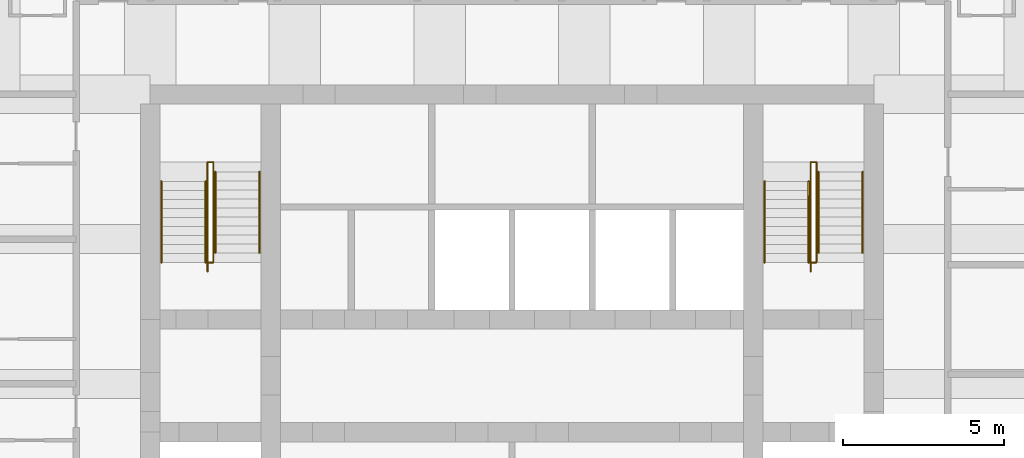
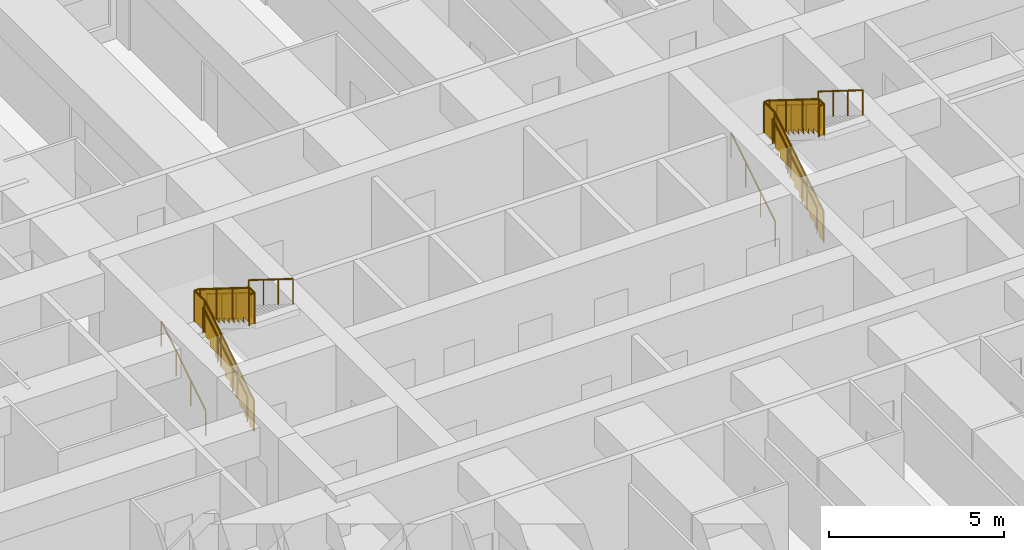
# One storey, part 8 of 8: 12 railings.
"""IFC4 building model written with IfcOpenShell, lengths in metres."""

from ifc_helpers import new_model, si_unit, direction, frame, origin, origin_2d, place, context, subcontext, project, spatial, polyline, circle, outline, extrude, material, type_object, element, save


model = new_model("IFC4")

# Units and contexts
model_context = context("Model", 3, precision=1e-05, world=origin(), true_north=direction((0.0, 1.0)))
body_context = subcontext(model_context, "Body", "Model", "MODEL_VIEW")
ifc_project = project(units=[si_unit("LENGTHUNIT", "METRE"), si_unit("AREAUNIT", "SQUARE_METRE"), si_unit("VOLUMEUNIT", "CUBIC_METRE"), si_unit("PLANEANGLEUNIT", "RADIAN"), si_unit("MASSUNIT", "GRAM", prefix="KILO")], contexts=[model_context])

# Site, building, storey
site_placement = place(None, origin())
site = spatial("IfcSite", under=ifc_project, at=site_placement, CompositionType="ELEMENT")
building_placement = place(site_placement, origin())
building = spatial("IfcBuilding", under=site, at=building_placement, Name="Kilele Tower Hotel", CompositionType="ELEMENT")
storey_placement = place(building_placement, frame((0.0, 0.0, 179.89990234375)))
storey = spatial("IfcBuildingStorey", under=building, at=storey_placement, Name="L46", CompositionType="ELEMENT", Elevation=179.89990234375)

# Railings
ifc_material_1 = material(Name="Steel handrail", Category="steel")
railing_type_1 = type_object("IfcRailingType", Name="Handrail 900", PredefinedType="HANDRAIL", material=ifc_material_1)
for number, where, name in (
    (1, (13.85009765625, 21.77490234375, 0.175048828125), "Handrail ST1 flight 1"),
    (2, (15.22509765625, 21.77490234375, 0.175048828125), "Handrail ST1 flight 1"),
):
    element("IfcRailing", number, at=place(storey_placement, frame(where)), inside=storey, type_object=railing_type_1, Name=name, PredefinedType="HANDRAIL", context=body_context, shape_type="SweptSolid", body=[
        extrude(circle(Radius=0.02490234375, at=origin_2d()), frame((0.0, 0.0, 0.875), z_axis=(0.0, 0.848007534815, 0.529984170421), x_axis=(-1.0, 0.0, 0.0)), (0.0, 0.0, 1.0), 2.9716796875),
        extrude(circle(Radius=0.02001953125, at=origin_2d()), origin(), (0.0, 0.0, 1.0), 0.849853515625),
        extrude(circle(Radius=0.02001953125, at=origin_2d()), frame((0.0, 0.840087890625, 0.52490234375)), (0.0, 0.0, 1.0), 0.849853515625),
        extrude(circle(Radius=0.02001953125, at=origin_2d()), frame((0.0, 1.679931640625, 1.050048828125)), (0.0, 0.0, 1.0), 0.849853515625),
        extrude(circle(Radius=0.02001953125, at=origin_2d()), frame((0.0, 2.52001953125, 1.574951171875)), (0.0, 0.0, 1.0), 0.849853515625),
    ])
for number, where, name in (
    (3, (15.52490234375, 24.594970703125, 1.925048828125), "Handrail ST1 flight 2"),
    (4, (16.89990234375, 24.594970703125, 1.925048828125), "Handrail ST1 flight 2"),
):
    element("IfcRailing", number, at=place(storey_placement, frame(where)), inside=storey, type_object=railing_type_1, Name=name, PredefinedType="HANDRAIL", context=body_context, shape_type="SweptSolid", body=[
        extrude(circle(Radius=0.02490234375, at=origin_2d()), frame((0.0, 0.0, 0.875), z_axis=(0.0, -0.848007534815, 0.529984170421), x_axis=(1.0, 0.0, 0.0)), (0.0, 0.0, 1.0), 2.9716796875),
        extrude(circle(Radius=0.02001953125, at=origin_2d()), origin(), (0.0, 0.0, 1.0), 0.849853515625),
        extrude(circle(Radius=0.02001953125, at=origin_2d()), frame((0.0, -0.840087890625, 0.52490234375)), (0.0, 0.0, 1.0), 0.849853515625),
        extrude(circle(Radius=0.02001953125, at=origin_2d()), frame((0.0, -1.679931640625, 1.050048828125)), (0.0, 0.0, 1.0), 0.849853515625),
        extrude(circle(Radius=0.02001953125, at=origin_2d()), frame((0.0, -2.52001953125, 1.574951171875)), (0.0, 0.0, 1.0), 0.849853515625),
    ])
for number, where, name in (
    (5, (32.60009765625, 21.77490234375, 0.175048828125), "Handrail ST2 flight 1"),
    (6, (33.97509765625, 21.77490234375, 0.175048828125), "Handrail ST2 flight 1"),
):
    element("IfcRailing", number, at=place(storey_placement, frame(where)), inside=storey, type_object=railing_type_1, Name=name, PredefinedType="HANDRAIL", context=body_context, shape_type="SweptSolid", body=[
        extrude(circle(Radius=0.02490234375, at=origin_2d()), frame((0.0, 0.0, 0.875), z_axis=(0.0, 0.848007534815, 0.529984170421), x_axis=(-1.0, 0.0, 0.0)), (0.0, 0.0, 1.0), 2.9716796875),
        extrude(circle(Radius=0.02001953125, at=origin_2d()), origin(), (0.0, 0.0, 1.0), 0.849853515625),
        extrude(circle(Radius=0.02001953125, at=origin_2d()), frame((0.0, 0.840087890625, 0.52490234375)), (0.0, 0.0, 1.0), 0.849853515625),
        extrude(circle(Radius=0.02001953125, at=origin_2d()), frame((0.0, 1.679931640625, 1.050048828125)), (0.0, 0.0, 1.0), 0.849853515625),
        extrude(circle(Radius=0.02001953125, at=origin_2d()), frame((0.0, 2.52001953125, 1.574951171875)), (0.0, 0.0, 1.0), 0.849853515625),
    ])
for number, where, name in (
    (7, (34.27490234375, 24.594970703125, 1.925048828125), "Handrail ST2 flight 2"),
    (8, (35.64990234375, 24.594970703125, 1.925048828125), "Handrail ST2 flight 2"),
):
    element("IfcRailing", number, at=place(storey_placement, frame(where)), inside=storey, type_object=railing_type_1, Name=name, PredefinedType="HANDRAIL", context=body_context, shape_type="SweptSolid", body=[
        extrude(circle(Radius=0.02490234375, at=origin_2d()), frame((0.0, 0.0, 0.875), z_axis=(0.0, -0.848007534815, 0.529984170421), x_axis=(1.0, 0.0, 0.0)), (0.0, 0.0, 1.0), 2.9716796875),
        extrude(circle(Radius=0.02001953125, at=origin_2d()), origin(), (0.0, 0.0, 1.0), 0.849853515625),
        extrude(circle(Radius=0.02001953125, at=origin_2d()), frame((0.0, -0.840087890625, 0.52490234375)), (0.0, 0.0, 1.0), 0.849853515625),
        extrude(circle(Radius=0.02001953125, at=origin_2d()), frame((0.0, -1.679931640625, 1.050048828125)), (0.0, 0.0, 1.0), 0.849853515625),
        extrude(circle(Radius=0.02001953125, at=origin_2d()), frame((0.0, -2.52001953125, 1.574951171875)), (0.0, 0.0, 1.0), 0.849853515625),
    ])
ifc_material_2 = material(Name="Steel guard", Category="steel")
railing_type_2 = type_object("IfcRailingType", Name="Stair guard 1100", PredefinedType="GUARDRAIL", material=ifc_material_2)
railing_1_placement = place(storey_placement, frame((15.284912109375, 21.4951171875, 0.0)))
element("IfcRailing", 9, at=railing_1_placement, inside=storey, type_object=railing_type_2, Name="Stair well guard ST1 flight 1", PredefinedType="GUARDRAIL", context=body_context, shape_type="SweptSolid", body=[
    extrude(circle(Radius=0.02490234375, at=origin_2d()), frame((0.0, 0.0, 1.0751953125), z_axis=(0.0, 0.847981687118, 0.530025526095), x_axis=(-1.0, 0.0, 0.0)), (0.0, 0.0, 1.0), 3.3017578125),
    extrude(circle(Radius=0.02490234375, at=origin_2d()), frame((0.0, 2.7998046875, 2.8251953125), z_axis=(0.0, 1.0, 0.0), x_axis=(-1.0, 0.0, 0.0)), (0.0, 0.0, 1.0), 0.60009765625),
    extrude(circle(Radius=0.02490234375, at=origin_2d()), frame((0.0, 3.39990234375, 2.8251953125), z_axis=(1.0, 0.0, 0.0), x_axis=(0.0, 1.0, 0.0)), (0.0, 0.0, 1.0), 0.18017578125),
    extrude(circle(Radius=0.02490234375, at=origin_2d()), origin(), (0.0, 0.0, 1.0), 1.050048828125),
    extrude(circle(Radius=0.02490234375, at=origin_2d()), frame((0.0, 0.933349609375, 0.583251953125)), (0.0, 0.0, 1.0), 1.050048828125),
    extrude(circle(Radius=0.02490234375, at=origin_2d()), frame((0.0, 1.866455078125, 1.166748046875)), (0.0, 0.0, 1.0), 1.050048828125),
    extrude(circle(Radius=0.02490234375, at=origin_2d()), frame((0.0, 2.7998046875, 1.75)), (0.0, 0.0, 1.0), 1.050048828125),
    extrude(circle(Radius=0.02490234375, at=origin_2d()), frame((0.0, 3.39990234375, 1.75)), (0.0, 0.0, 1.0), 1.050048828125),
    extrude(circle(Radius=0.02490234375, at=origin_2d()), frame((0.18017578125, 3.39990234375, 1.75)), (0.0, 0.0, 1.0), 1.050048828125),
    extrude(outline(polyline([(0.012451171875, 0.030029296875), (0.25, 0.030029296875), (0.25, 0.205078125), (0.530029296875, 0.205078125), (0.530029296875, 0.380126953125), (0.809814453125, 0.380126953125), (0.809814453125, 0.554931640625), (1.08984375, 0.554931640625), (1.08984375, 0.72998046875), (1.369873046875, 0.72998046875), (1.369873046875, 0.905029296875), (1.64990234375, 0.905029296875), (1.64990234375, 1.080078125), (1.929931640625, 1.080078125), (1.929931640625, 1.255126953125), (2.209716796875, 1.255126953125), (2.209716796875, 1.429931640625), (2.48974609375, 1.429931640625), (2.48974609375, 1.60498046875), (2.769775390625, 1.60498046875), (2.769775390625, 1.780029296875), (2.787353515625, 1.780029296875), (2.787353515625, 2.787841796875), (0.012451171875, 1.053466796875), (0.012451171875, 0.030029296875)])), frame((-0.005859375, 0.0, 0.0), z_axis=(1.0, 0.0, 0.0), x_axis=(0.0, 1.0, 0.0)), (0.0, 0.0, 1.0), 0.011962890625),
    extrude(outline(polyline([(0.012451171875, 0.030029296875), (0.587646484375, 0.030029296875), (0.587646484375, 1.050048828125), (0.012451171875, 1.050048828125), (0.012451171875, 0.030029296875)])), frame((-0.005859375, 2.7998046875, 1.75), z_axis=(1.0, 0.0, 0.0), x_axis=(0.0, 1.0, 0.0)), (0.0, 0.0, 1.0), 0.011962890625),
    extrude(outline(polyline([(0.012451171875, 0.030029296875), (0.18017578125, 0.030029296875), (0.18017578125, 1.050048828125), (0.012451171875, 1.050048828125), (0.012451171875, 0.030029296875)])), frame((0.0, 3.40576171875, 1.75), z_axis=(0.0, -1.0, 0.0), x_axis=(1.0, 0.0, 0.0)), (0.0, 0.0, 1.0), 0.011962890625),
])
railing_2_placement = place(storey_placement, frame((15.465087890625, 24.89501953125, 1.75)))
element("IfcRailing", 10, at=railing_2_placement, inside=storey, type_object=railing_type_2, Name="Stair well guard ST1 flight 2", PredefinedType="GUARDRAIL", context=body_context, shape_type="SweptSolid", body=[
    extrude(circle(Radius=0.02490234375, at=origin_2d()), frame((0.0, 0.0, 1.0751953125), z_axis=(0.0, -1.0, 0.0), x_axis=(1.0, 0.0, 0.0)), (0.0, 0.0, 1.0), 0.02001953125),
    extrude(circle(Radius=0.02490234375, at=origin_2d()), frame((0.0, -0.02001953125, 1.0751953125), z_axis=(0.0, -0.848002457836, 0.529992293815), x_axis=(1.0, 0.0, 0.0)), (0.0, 0.0, 1.0), 3.302001953125),
    extrude(circle(Radius=0.02490234375, at=origin_2d()), frame((0.0, -2.820068359375, 2.8251953125), z_axis=(0.0, -1.0, 0.0), x_axis=(1.0, 0.0, 0.0)), (0.0, 0.0, 1.0), 0.300048828125),
    extrude(circle(Radius=0.02490234375, at=origin_2d()), frame((0.0, -3.1201171875, 2.8251953125), z_axis=(-1.0, 0.0, 0.0), x_axis=(0.0, -1.0, 0.0)), (0.0, 0.0, 1.0), 0.18017578125),
    extrude(circle(Radius=0.02490234375, at=origin_2d()), origin(), (0.0, 0.0, 1.0), 1.050048828125),
    extrude(circle(Radius=0.02490234375, at=origin_2d()), frame((0.0, -0.02001953125, 0.0)), (0.0, 0.0, 1.0), 1.050048828125),
    extrude(circle(Radius=0.02490234375, at=origin_2d()), frame((0.0, -0.953369140625, 0.583251953125)), (0.0, 0.0, 1.0), 1.050048828125),
    extrude(circle(Radius=0.02490234375, at=origin_2d()), frame((0.0, -1.88671875, 1.166748046875)), (0.0, 0.0, 1.0), 1.050048828125),
    extrude(circle(Radius=0.02490234375, at=origin_2d()), frame((0.0, -2.820068359375, 1.75)), (0.0, 0.0, 1.0), 1.050048828125),
    extrude(circle(Radius=0.02490234375, at=origin_2d()), frame((0.0, -3.1201171875, 1.75)), (0.0, 0.0, 1.0), 1.050048828125),
    extrude(circle(Radius=0.02490234375, at=origin_2d()), frame((-0.18017578125, -3.1201171875, 1.75)), (0.0, 0.0, 1.0), 1.050048828125),
    extrude(outline(polyline([(0.012451171875, 0.030029296875), (0.25, 0.030029296875), (0.25, 0.205078125), (0.530029296875, 0.205078125), (0.530029296875, 0.380126953125), (0.81005859375, 0.380126953125), (0.81005859375, 0.554931640625), (1.090087890625, 0.554931640625), (1.090087890625, 0.72998046875), (1.3701171875, 0.72998046875), (1.3701171875, 0.905029296875), (1.64990234375, 0.905029296875), (1.64990234375, 1.080078125), (1.929931640625, 1.080078125), (1.929931640625, 1.255126953125), (2.2099609375, 1.255126953125), (2.2099609375, 1.429931640625), (2.489990234375, 1.429931640625), (2.489990234375, 1.60498046875), (2.77001953125, 1.60498046875), (2.77001953125, 1.780029296875), (2.78759765625, 1.780029296875), (2.78759765625, 2.787841796875), (0.012451171875, 1.053466796875), (0.012451171875, 0.030029296875)])), frame((0.005859375, -0.02001953125, 0.0), z_axis=(-1.0, 0.0, 0.0), x_axis=(0.0, -1.0, 0.0)), (0.0, 0.0, 1.0), 0.011962890625),
    extrude(outline(polyline([(0.012451171875, 0.030029296875), (0.28759765625, 0.030029296875), (0.28759765625, 1.050048828125), (0.012451171875, 1.050048828125), (0.012451171875, 0.030029296875)])), frame((0.005859375, -2.820068359375, 1.75), z_axis=(-1.0, 0.0, 0.0), x_axis=(0.0, -1.0, 0.0)), (0.0, 0.0, 1.0), 0.011962890625),
    extrude(outline(polyline([(0.012451171875, 0.030029296875), (0.18017578125, 0.030029296875), (0.18017578125, 1.050048828125), (0.012451171875, 1.050048828125), (0.012451171875, 0.030029296875)])), frame((0.0, -3.1259765625, 1.75), z_axis=(0.0, 1.0, 0.0), x_axis=(-1.0, 0.0, 0.0)), (0.0, 0.0, 1.0), 0.011962890625),
])
railing_3_placement = place(storey_placement, frame((34.034912109375, 21.4951171875, 0.0)))
element("IfcRailing", 11, at=railing_3_placement, inside=storey, type_object=railing_type_2, Name="Stair well guard ST2 flight 1", PredefinedType="GUARDRAIL", context=body_context, shape_type="SweptSolid", body=[
    extrude(circle(Radius=0.02490234375, at=origin_2d()), frame((0.0, 0.0, 1.0751953125), z_axis=(0.0, 0.847981687118, 0.530025526095), x_axis=(-1.0, 0.0, 0.0)), (0.0, 0.0, 1.0), 3.3017578125),
    extrude(circle(Radius=0.02490234375, at=origin_2d()), frame((0.0, 2.7998046875, 2.8251953125), z_axis=(0.0, 1.0, 0.0), x_axis=(-1.0, 0.0, 0.0)), (0.0, 0.0, 1.0), 0.60009765625),
    extrude(circle(Radius=0.02490234375, at=origin_2d()), frame((0.0, 3.39990234375, 2.8251953125), z_axis=(1.0, 0.0, 0.0), x_axis=(0.0, 1.0, 0.0)), (0.0, 0.0, 1.0), 0.18017578125),
    extrude(circle(Radius=0.02490234375, at=origin_2d()), origin(), (0.0, 0.0, 1.0), 1.050048828125),
    extrude(circle(Radius=0.02490234375, at=origin_2d()), frame((0.0, 0.933349609375, 0.583251953125)), (0.0, 0.0, 1.0), 1.050048828125),
    extrude(circle(Radius=0.02490234375, at=origin_2d()), frame((0.0, 1.866455078125, 1.166748046875)), (0.0, 0.0, 1.0), 1.050048828125),
    extrude(circle(Radius=0.02490234375, at=origin_2d()), frame((0.0, 2.7998046875, 1.75)), (0.0, 0.0, 1.0), 1.050048828125),
    extrude(circle(Radius=0.02490234375, at=origin_2d()), frame((0.0, 3.39990234375, 1.75)), (0.0, 0.0, 1.0), 1.050048828125),
    extrude(circle(Radius=0.02490234375, at=origin_2d()), frame((0.18017578125, 3.39990234375, 1.75)), (0.0, 0.0, 1.0), 1.050048828125),
    extrude(outline(polyline([(0.012451171875, 0.030029296875), (0.25, 0.030029296875), (0.25, 0.205078125), (0.530029296875, 0.205078125), (0.530029296875, 0.380126953125), (0.809814453125, 0.380126953125), (0.809814453125, 0.554931640625), (1.08984375, 0.554931640625), (1.08984375, 0.72998046875), (1.369873046875, 0.72998046875), (1.369873046875, 0.905029296875), (1.64990234375, 0.905029296875), (1.64990234375, 1.080078125), (1.929931640625, 1.080078125), (1.929931640625, 1.255126953125), (2.209716796875, 1.255126953125), (2.209716796875, 1.429931640625), (2.48974609375, 1.429931640625), (2.48974609375, 1.60498046875), (2.769775390625, 1.60498046875), (2.769775390625, 1.780029296875), (2.787353515625, 1.780029296875), (2.787353515625, 2.787841796875), (0.012451171875, 1.053466796875), (0.012451171875, 0.030029296875)])), frame((-0.005859375, 0.0, 0.0), z_axis=(1.0, 0.0, 0.0), x_axis=(0.0, 1.0, 0.0)), (0.0, 0.0, 1.0), 0.011962890625),
    extrude(outline(polyline([(0.012451171875, 0.030029296875), (0.587646484375, 0.030029296875), (0.587646484375, 1.050048828125), (0.012451171875, 1.050048828125), (0.012451171875, 0.030029296875)])), frame((-0.005859375, 2.7998046875, 1.75), z_axis=(1.0, 0.0, 0.0), x_axis=(0.0, 1.0, 0.0)), (0.0, 0.0, 1.0), 0.011962890625),
    extrude(outline(polyline([(0.012451171875, 0.030029296875), (0.18017578125, 0.030029296875), (0.18017578125, 1.050048828125), (0.012451171875, 1.050048828125), (0.012451171875, 0.030029296875)])), frame((0.0, 3.40576171875, 1.75), z_axis=(0.0, -1.0, 0.0), x_axis=(1.0, 0.0, 0.0)), (0.0, 0.0, 1.0), 0.011962890625),
])
railing_4_placement = place(storey_placement, frame((34.215087890625, 24.89501953125, 1.75)))
element("IfcRailing", 12, at=railing_4_placement, inside=storey, type_object=railing_type_2, Name="Stair well guard ST2 flight 2", PredefinedType="GUARDRAIL", context=body_context, shape_type="SweptSolid", body=[
    extrude(circle(Radius=0.02490234375, at=origin_2d()), frame((0.0, 0.0, 1.0751953125), z_axis=(0.0, -1.0, 0.0), x_axis=(1.0, 0.0, 0.0)), (0.0, 0.0, 1.0), 0.02001953125),
    extrude(circle(Radius=0.02490234375, at=origin_2d()), frame((0.0, -0.02001953125, 1.0751953125), z_axis=(0.0, -0.848002457836, 0.529992293815), x_axis=(1.0, 0.0, 0.0)), (0.0, 0.0, 1.0), 3.302001953125),
    extrude(circle(Radius=0.02490234375, at=origin_2d()), frame((0.0, -2.820068359375, 2.8251953125), z_axis=(0.0, -1.0, 0.0), x_axis=(1.0, 0.0, 0.0)), (0.0, 0.0, 1.0), 0.300048828125),
    extrude(circle(Radius=0.02490234375, at=origin_2d()), frame((0.0, -3.1201171875, 2.8251953125), z_axis=(-1.0, 0.0, 0.0), x_axis=(0.0, -1.0, 0.0)), (0.0, 0.0, 1.0), 0.18017578125),
    extrude(circle(Radius=0.02490234375, at=origin_2d()), origin(), (0.0, 0.0, 1.0), 1.050048828125),
    extrude(circle(Radius=0.02490234375, at=origin_2d()), frame((0.0, -0.02001953125, 0.0)), (0.0, 0.0, 1.0), 1.050048828125),
    extrude(circle(Radius=0.02490234375, at=origin_2d()), frame((0.0, -0.953369140625, 0.583251953125)), (0.0, 0.0, 1.0), 1.050048828125),
    extrude(circle(Radius=0.02490234375, at=origin_2d()), frame((0.0, -1.88671875, 1.166748046875)), (0.0, 0.0, 1.0), 1.050048828125),
    extrude(circle(Radius=0.02490234375, at=origin_2d()), frame((0.0, -2.820068359375, 1.75)), (0.0, 0.0, 1.0), 1.050048828125),
    extrude(circle(Radius=0.02490234375, at=origin_2d()), frame((0.0, -3.1201171875, 1.75)), (0.0, 0.0, 1.0), 1.050048828125),
    extrude(circle(Radius=0.02490234375, at=origin_2d()), frame((-0.18017578125, -3.1201171875, 1.75)), (0.0, 0.0, 1.0), 1.050048828125),
    extrude(outline(polyline([(0.012451171875, 0.030029296875), (0.25, 0.030029296875), (0.25, 0.205078125), (0.530029296875, 0.205078125), (0.530029296875, 0.380126953125), (0.81005859375, 0.380126953125), (0.81005859375, 0.554931640625), (1.090087890625, 0.554931640625), (1.090087890625, 0.72998046875), (1.3701171875, 0.72998046875), (1.3701171875, 0.905029296875), (1.64990234375, 0.905029296875), (1.64990234375, 1.080078125), (1.929931640625, 1.080078125), (1.929931640625, 1.255126953125), (2.2099609375, 1.255126953125), (2.2099609375, 1.429931640625), (2.489990234375, 1.429931640625), (2.489990234375, 1.60498046875), (2.77001953125, 1.60498046875), (2.77001953125, 1.780029296875), (2.78759765625, 1.780029296875), (2.78759765625, 2.787841796875), (0.012451171875, 1.053466796875), (0.012451171875, 0.030029296875)])), frame((0.005859375, -0.02001953125, 0.0), z_axis=(-1.0, 0.0, 0.0), x_axis=(0.0, -1.0, 0.0)), (0.0, 0.0, 1.0), 0.011962890625),
    extrude(outline(polyline([(0.012451171875, 0.030029296875), (0.28759765625, 0.030029296875), (0.28759765625, 1.050048828125), (0.012451171875, 1.050048828125), (0.012451171875, 0.030029296875)])), frame((0.005859375, -2.820068359375, 1.75), z_axis=(-1.0, 0.0, 0.0), x_axis=(0.0, -1.0, 0.0)), (0.0, 0.0, 1.0), 0.011962890625),
    extrude(outline(polyline([(0.012451171875, 0.030029296875), (0.18017578125, 0.030029296875), (0.18017578125, 1.050048828125), (0.012451171875, 1.050048828125), (0.012451171875, 0.030029296875)])), frame((0.0, -3.1259765625, 1.75), z_axis=(0.0, 1.0, 0.0), x_axis=(-1.0, 0.0, 0.0)), (0.0, 0.0, 1.0), 0.011962890625),
])

save(model, "model.ifc")
